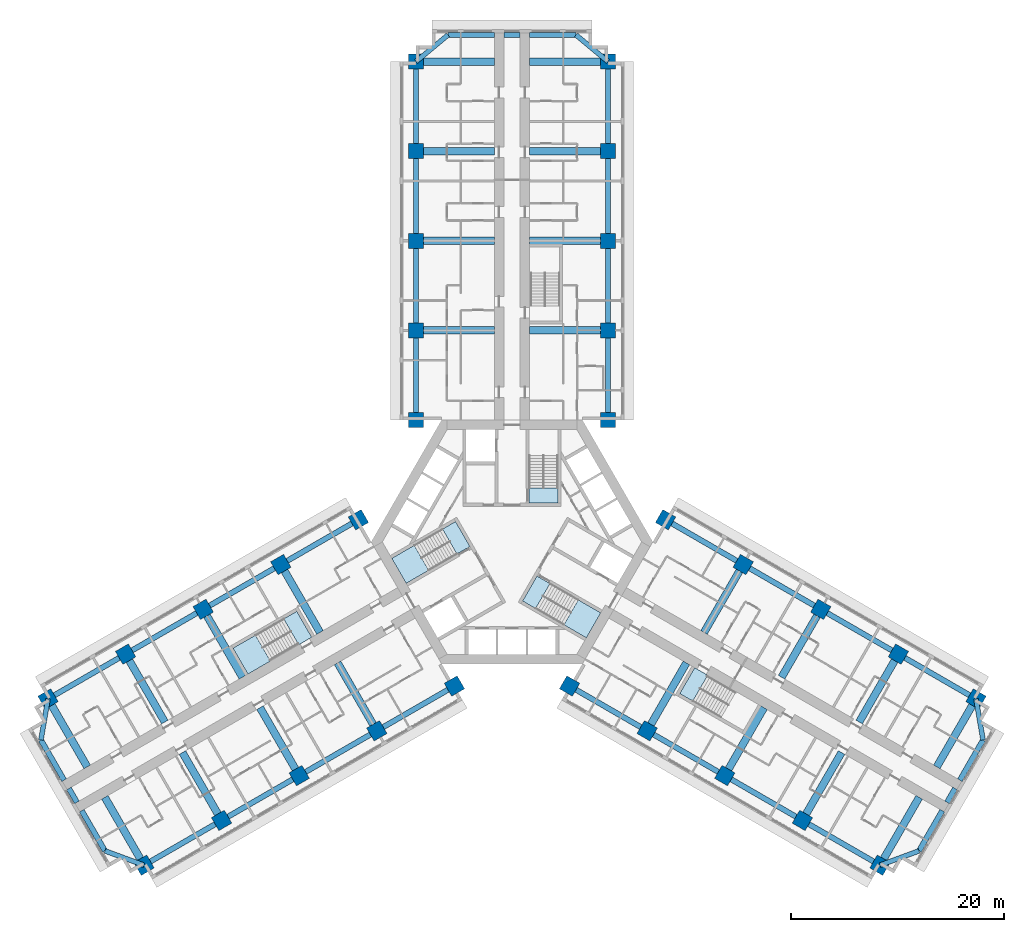
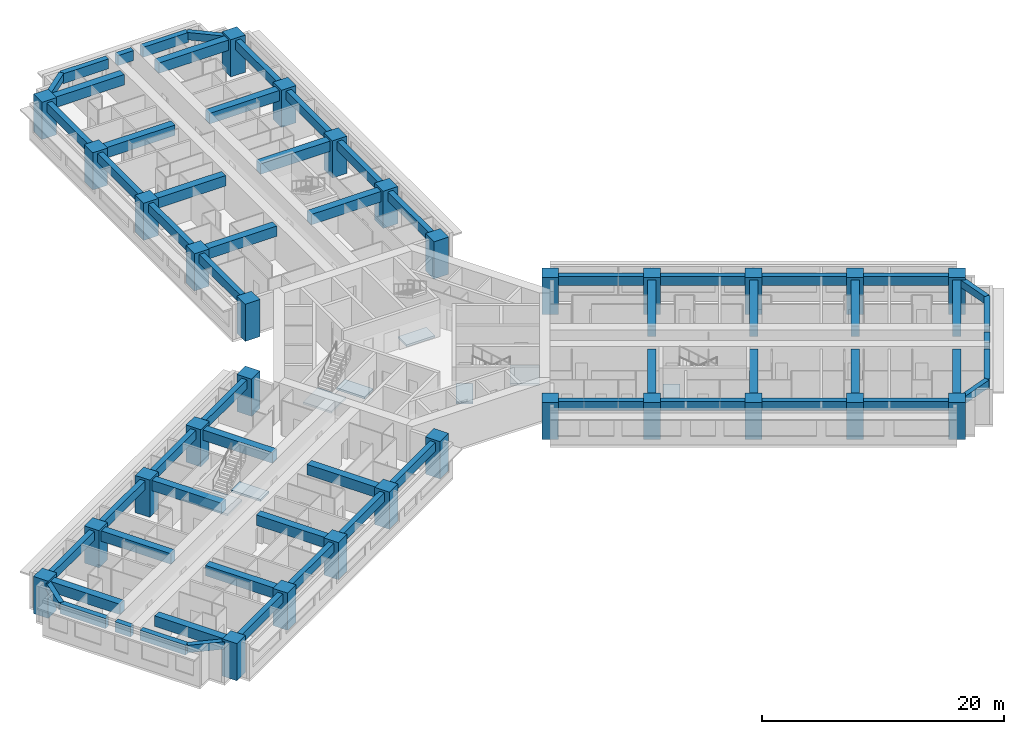
# One storey, part 1 of 16: 63 beams, 30 columns, 8 slabs, 5 elements without a shape of their own.
"""IFC4 building model written with IfcOpenShell, lengths in metres."""

from ifc_helpers import new_model, si_unit, direction, frame, origin, origin_2d, place, context, subcontext, project, spatial, polyline, rectangle, outline, extrude, material, layer, layer_set, material_profile, profile_set, type_object, element, aggregate, save


model = new_model("IFC4")

# Units and contexts
model_context = context("Model", 3, precision=1e-05, world=origin(), true_north=direction((0.0, 1.0)))
body_context = subcontext(model_context, "Body", "Model", "MODEL_VIEW")
ifc_project = project(units=[si_unit("LENGTHUNIT", "METRE"), si_unit("AREAUNIT", "SQUARE_METRE"), si_unit("VOLUMEUNIT", "CUBIC_METRE"), si_unit("PLANEANGLEUNIT", "RADIAN"), si_unit("MASSUNIT", "GRAM", prefix="KILO")], contexts=[model_context])

# Site, building, storey
site_placement = place(None, origin())
site = spatial("IfcSite", under=ifc_project, at=site_placement, CompositionType="ELEMENT")
building_placement = place(site_placement, origin())
building = spatial("IfcBuilding", under=site, at=building_placement, Name="Impinga Residences", CompositionType="ELEMENT")
storey_placement = place(building_placement, frame((0.0, 0.0, 52.25)))
storey = spatial("IfcBuildingStorey", under=building, at=storey_placement, Name="L12", CompositionType="ELEMENT", Elevation=52.25)

# Columns
ifc_material_1 = material(Name="Concrete C70/85", Category="concrete")
ifc_material_profile_1 = material_profile(ifc_material_1, rectangle(XDim=1.39990234375, YDim=1.39990234375, at=origin_2d()), Name="RC 1400x1400")
ifc_profile_set_1 = profile_set([ifc_material_profile_1], Name="Concrete C70/85")
column_type = type_object("IfcColumnType", Name="C2 1400x1400 column", PredefinedType="COLUMN", material=ifc_profile_set_1)
for number, where, z_axis, x_axis, name in (
    (1, (-9.0, 11.431640625, 0.0), (0.0, 0.0, 1.0), (1.0, 0.0, 0.0), "Column C2 N1/NA L12"),
    (2, (9.0, 11.431640625, 0.0), (0.0, 0.0, 1.0), (1.0, 0.0, 0.0), "Column C2 N1/NF L12"),
    (3, (-9.0, 19.83154296875, 0.0), (0.0, 0.0, 1.0), (1.0, 0.0, 0.0), "Column C2 N2/NA L12"),
    (4, (9.0, 19.83154296875, 0.0), (0.0, 0.0, 1.0), (1.0, 0.0, 0.0), "Column C2 N2/NF L12"),
    (5, (-9.0, 28.2314453125, 0.0), (0.0, 0.0, 1.0), (1.0, 0.0, 0.0), "Column C2 N3/NA L12"),
    (6, (9.0, 28.2314453125, 0.0), (0.0, 0.0, 1.0), (1.0, 0.0, 0.0), "Column C2 N3/NF L12"),
    (7, (-9.0, 36.631591796875, 0.0), (0.0, 0.0, 1.0), (1.0, 0.0, 0.0), "Column C2 N4/NA L12"),
    (8, (9.0, 36.631591796875, 0.0), (0.0, 0.0, 1.0), (1.0, 0.0, 0.0), "Column C2 N4/NF L12"),
    (9, (-9.0, 45.031494140625, 0.0), (0.0, 0.0, 1.0), (1.0, 0.0, 0.0), "Column C2 N5/NA L12"),
    (10, (9.0, 45.031494140625, 0.0), (0.0, 0.0, 1.0), (1.0, 0.0, 0.0), "Column C2 N5/NF L12"),
    (11, (-5.39990234375, -13.510009765625, 0.0), (0.0, 0.0, 1.0), (-0.5, 0.866025403784, 0.0), "Column C2 W1/WA L12"),
    (12, (-14.39990234375, 2.078369140625, 0.0), (0.0, 0.0, 1.0), (-0.5, 0.866025403784, 0.0), "Column C2 W1/WF L12"),
    (13, (-12.674560546875, -17.7099609375, 0.0), (0.0, 0.0, 1.0), (-0.5, 0.866025403784, 0.0), "Column C2 W2/WA L12"),
    (14, (-21.674560546875, -2.12158203125, 0.0), (0.0, 0.0, 1.0), (-0.5, 0.866025403784, 0.0), "Column C2 W2/WF L12"),
    (15, (-19.94921875, -21.909912109375, 0.0), (0.0, 0.0, 1.0), (-0.5, 0.866025403784, 0.0), "Column C2 W3/WA L12"),
    (16, (-28.94921875, -6.321533203125, 0.0), (0.0, 0.0, 1.0), (-0.5, 0.866025403784, 0.0), "Column C2 W3/WF L12"),
    (17, (-27.223876953125, -26.110107421875, 0.0), (0.0, 0.0, 1.0), (-0.5, 0.866025403784, 0.0), "Column C2 W4/WA L12"),
    (18, (-36.223876953125, -10.521484375, 0.0), (0.0, 0.0, 1.0), (-0.5, 0.866025403784, 0.0), "Column C2 W4/WF L12"),
    (19, (-34.49853515625, -30.31005859375, 0.0), (0.0, 0.0, 1.0), (-0.5, 0.866025403784, 0.0), "Column C2 W5/WA L12"),
    (20, (-43.49853515625, -14.721435546875, 0.0), (0.0, 0.0, 1.0), (-0.5, 0.866025403784, 0.0), "Column C2 W5/WF L12"),
    (21, (14.39990234375, 2.078369140625, 0.0), (0.0, 0.0, 1.0), (-0.5, -0.866025403784, 0.0), "Column C2 E1/EA L12"),
    (22, (5.39990234375, -13.510009765625, 0.0), (0.0, 0.0, 1.0), (-0.5, -0.866025403784, 0.0), "Column C2 E1/EF L12"),
    (23, (21.674560546875, -2.12158203125, 0.0), (0.0, 0.0, 1.0), (-0.5, -0.866025403784, 0.0), "Column C2 E2/EA L12"),
    (24, (12.674560546875, -17.7099609375, 0.0), (0.0, 0.0, 1.0), (-0.5, -0.866025403784, 0.0), "Column C2 E2/EF L12"),
    (25, (28.94921875, -6.321533203125, 0.0), (0.0, 0.0, 1.0), (-0.5, -0.866025403784, 0.0), "Column C2 E3/EA L12"),
    (26, (19.94921875, -21.909912109375, 0.0), (0.0, 0.0, 1.0), (-0.5, -0.866025403784, 0.0), "Column C2 E3/EF L12"),
    (27, (36.223876953125, -10.521484375, 0.0), (0.0, 0.0, 1.0), (-0.5, -0.866025403784, 0.0), "Column C2 E4/EA L12"),
    (28, (27.223876953125, -26.110107421875, 0.0), (0.0, 0.0, 1.0), (-0.5, -0.866025403784, 0.0), "Column C2 E4/EF L12"),
    (29, (43.49853515625, -14.721435546875, 0.0), (0.0, 0.0, 1.0), (-0.5, -0.866025403784, 0.0), "Column C2 E5/EA L12"),
    (30, (34.49853515625, -30.31005859375, 0.0), (0.0, 0.0, 1.0), (-0.5, -0.866025403784, 0.0), "Column C2 E5/EF L12"),
):
    element("IfcColumn", number, at=place(storey_placement, frame(where, z_axis=z_axis, x_axis=x_axis)), inside=storey, type_object=column_type, Name=name, PredefinedType="COLUMN", context=body_context, shape_type="SweptSolid", body=[
        extrude(rectangle(XDim=1.39990234375, YDim=1.39990234375, at=origin_2d()), origin(), (0.0, 0.0, 1.0), 3.75),
    ])

# Beams
ifc_material_2 = material(Name="Concrete C60/75", Category="concrete")
ifc_material_profile_2 = material_profile(ifc_material_2, rectangle(XDim=0.449951171875, YDim=0.75, at=origin_2d()), Name="RC 450x750")
ifc_profile_set_2 = profile_set([ifc_material_profile_2], Name="Concrete C60/75")
beam_type_1 = type_object("IfcBeamType", Name="CB1 450x750 wing end cantilever beam", PredefinedType="BEAM", material=ifc_profile_set_2)
for number, where, z_axis, x_axis, name in (
    (31, (-9.0, 45.031494140625, 3.155029296875), (0.768221279597, 0.640184399664, 0.0), (-0.640184399664, 0.768221279597, 0.0), "Beam CB1 NB N5-NX level L13"),
    (32, (9.0, 45.031494140625, 3.155029296875), (-0.768221279597, 0.640184399664, 0.0), (-0.640184399664, -0.768221279597, 0.0), "Beam CB1 NE N5-NX level L13"),
    (33, (-34.49853515625, -30.31005859375, 3.155029296875), (-0.938520178725, 0.345224382289, 0.0), (-0.345224382289, -0.938520178725, 0.0), "Beam CB1 WB W5-WX level L13"),
):
    element("IfcBeam", number, at=place(storey_placement, frame(where, z_axis=z_axis, x_axis=x_axis)), inside=storey, type_object=beam_type_1, Name=name, PredefinedType="BEAM", context=body_context, shape_type="SweptSolid", body=[
        extrude(rectangle(XDim=0.449951171875, YDim=0.75, at=origin_2d()), origin(), (0.0, 0.0, 1.0), 3.905029296875),
    ])
for number, where, z_axis, x_axis, name in (
    (34, (-43.49853515625, -14.721435546875, 3.155029296875), (-0.170296298948, -0.985392901621, 0.0), (0.985392901621, -0.170296298948, 0.0), "Beam CB1 WE W5-WX level L13"),
    (35, (43.49853515625, -14.721435546875, 3.155029296875), (0.170296298948, -0.985392901621, 0.0), (0.985392901621, 0.170296298948, 0.0), "Beam CB1 EB E5-EX level L13"),
):
    element("IfcBeam", number, at=place(storey_placement, frame(where, z_axis=z_axis, x_axis=x_axis)), inside=storey, type_object=beam_type_1, Name=name, PredefinedType="BEAM", context=body_context, shape_type="SweptSolid", body=[
        extrude(rectangle(XDim=0.449951171875, YDim=0.75, at=origin_2d()), origin(), (0.0, 0.0, 1.0), 3.9052734375),
    ])
beam_1_placement = place(storey_placement, frame((34.49853515625, -30.31005859375, 3.155029296875), z_axis=(0.938520178725, 0.345224382289, 0.0), x_axis=(-0.345224382289, 0.938520178725, 0.0)))
element("IfcBeam", 36, at=beam_1_placement, inside=storey, type_object=beam_type_1, Name="Beam CB1 EE E5-EX level L13", PredefinedType="BEAM", context=body_context, shape_type="SweptSolid", body=[
    extrude(rectangle(XDim=0.449951171875, YDim=0.75, at=origin_2d()), origin(), (0.0, 0.0, 1.0), 3.905029296875),
])
ifc_material_profile_3 = material_profile(ifc_material_2, rectangle(XDim=0.699951171875, YDim=1.050048828125, at=origin_2d()), Name="RC 700x1050")
ifc_profile_set_3 = profile_set([ifc_material_profile_3], Name="Concrete C60/75")
beam_type_2 = type_object("IfcBeamType", Name="CG1 700x1050 cross girder on a wing bay line", PredefinedType="BEAM", material=ifc_profile_set_3)
for number, where, z_axis, x_axis, name in (
    (37, (-1.64990234375, 19.83154296875, 3.0048828125), (-1.0, 0.0, 0.0), (0.0, -1.0, 0.0), "Beam CG1 N2 NC/NA level L13"),
    (38, (-1.64990234375, 28.2314453125, 3.0048828125), (-1.0, 0.0, 0.0), (0.0, -1.0, 0.0), "Beam CG1 N3 NC/NA level L13"),
    (39, (-1.64990234375, 36.631591796875, 3.0048828125), (-1.0, 0.0, 0.0), (0.0, -1.0, 0.0), "Beam CG1 N4 NC/NA level L13"),
    (40, (-1.64990234375, 45.031494140625, 3.0048828125), (-1.0, 0.0, 0.0), (0.0, -1.0, 0.0), "Beam CG1 N5 NC/NA level L13"),
    (41, (1.64990234375, 19.83154296875, 3.0048828125), (1.0, 0.0, 0.0), (0.0, 1.0, 0.0), "Beam CG1 N2 NC/NF level L13"),
    (42, (1.64990234375, 28.2314453125, 3.0048828125), (1.0, 0.0, 0.0), (0.0, 1.0, 0.0), "Beam CG1 N3 NC/NF level L13"),
    (43, (1.64990234375, 36.631591796875, 3.0048828125), (1.0, 0.0, 0.0), (0.0, 1.0, 0.0), "Beam CG1 N4 NC/NF level L13"),
    (44, (1.64990234375, 45.031494140625, 3.0048828125), (1.0, 0.0, 0.0), (0.0, 1.0, 0.0), "Beam CG1 N5 NC/NF level L13"),
    (45, (-16.349609375, -11.3447265625, 3.0048828125), (0.500008066151, -0.86602074674, 0.0), (0.86602074674, 0.500008066151, 0.0), "Beam CG1 W2 WC/WA level L13"),
    (46, (-23.624267578125, -15.544677734375, 3.0048828125), (0.500008066151, -0.86602074674, 0.0), (0.86602074674, 0.500008066151, 0.0), "Beam CG1 W3 WC/WA level L13"),
    (47, (-30.89892578125, -19.74462890625, 3.0048828125), (0.499993683172, -0.866029050776, 0.0), (0.866029050776, 0.499993683172, 0.0), "Beam CG1 W4 WC/WA level L13"),
):
    element("IfcBeam", number, at=place(storey_placement, frame(where, z_axis=z_axis, x_axis=x_axis)), inside=storey, type_object=beam_type_2, Name=name, PredefinedType="BEAM", context=body_context, shape_type="SweptSolid", body=[
        extrude(rectangle(XDim=0.699951171875, YDim=1.050048828125, at=origin_2d()), origin(), (0.0, 0.0, 1.0), 7.35009765625),
    ])
beam_2_placement = place(storey_placement, frame((-38.17333984375, -23.94482421875, 3.0048828125), z_axis=(0.499983153418, -0.866035129944, 0.0), x_axis=(0.866035129944, 0.499983153418, 0.0)))
element("IfcBeam", 48, at=beam_2_placement, inside=storey, type_object=beam_type_2, Name="Beam CG1 W5 WC/WA level L13", PredefinedType="BEAM", context=body_context, shape_type="SweptSolid", body=[
    extrude(rectangle(XDim=0.699951171875, YDim=1.050048828125, at=origin_2d()), origin(), (0.0, 0.0, 1.0), 7.349853515625),
])
for number, where, z_axis, x_axis, name in (
    (49, (-17.99951171875, -8.48681640625, 3.0048828125), (-0.500008066151, 0.86602074674, 0.0), (-0.86602074674, -0.500008066151, 0.0), "Beam CG1 W2 WC/WF level L13"),
    (50, (-25.274169921875, -12.686767578125, 3.0048828125), (-0.500008066151, 0.86602074674, 0.0), (-0.86602074674, -0.500008066151, 0.0), "Beam CG1 W3 WC/WF level L13"),
    (51, (-32.548828125, -16.88671875, 3.0048828125), (-0.500008066151, 0.86602074674, 0.0), (-0.86602074674, -0.500008066151, 0.0), "Beam CG1 W4 WC/WF level L13"),
    (52, (-39.823486328125, -21.0869140625, 3.0048828125), (-0.499993683172, 0.866029050776, 0.0), (-0.866029050776, -0.499993683172, 0.0), "Beam CG1 W5 WC/WF level L13"),
    (53, (17.99951171875, -8.48681640625, 3.0048828125), (0.500008066151, 0.86602074674, 0.0), (-0.86602074674, 0.500008066151, 0.0), "Beam CG1 E2 EC/EA level L13"),
    (54, (25.274169921875, -12.686767578125, 3.0048828125), (0.500008066151, 0.86602074674, 0.0), (-0.86602074674, 0.500008066151, 0.0), "Beam CG1 E3 EC/EA level L13"),
    (55, (32.548828125, -16.88671875, 3.0048828125), (0.500008066151, 0.86602074674, 0.0), (-0.86602074674, 0.500008066151, 0.0), "Beam CG1 E4 EC/EA level L13"),
    (56, (39.823486328125, -21.0869140625, 3.0048828125), (0.499993683172, 0.866029050776, 0.0), (-0.866029050776, 0.499993683172, 0.0), "Beam CG1 E5 EC/EA level L13"),
    (57, (16.349609375, -11.3447265625, 3.0048828125), (-0.500008066151, -0.86602074674, 0.0), (0.86602074674, -0.500008066151, 0.0), "Beam CG1 E2 EC/EF level L13"),
    (58, (23.624267578125, -15.544677734375, 3.0048828125), (-0.500008066151, -0.86602074674, 0.0), (0.86602074674, -0.500008066151, 0.0), "Beam CG1 E3 EC/EF level L13"),
    (59, (30.89892578125, -19.74462890625, 3.0048828125), (-0.499993683172, -0.866029050776, 0.0), (0.866029050776, -0.499993683172, 0.0), "Beam CG1 E4 EC/EF level L13"),
):
    element("IfcBeam", number, at=place(storey_placement, frame(where, z_axis=z_axis, x_axis=x_axis)), inside=storey, type_object=beam_type_2, Name=name, PredefinedType="BEAM", context=body_context, shape_type="SweptSolid", body=[
        extrude(rectangle(XDim=0.699951171875, YDim=1.050048828125, at=origin_2d()), origin(), (0.0, 0.0, 1.0), 7.35009765625),
    ])
beam_3_placement = place(storey_placement, frame((38.17333984375, -23.94482421875, 3.0048828125), z_axis=(-0.499983153418, -0.866035129944, 0.0), x_axis=(0.866035129944, -0.499983153418, 0.0)))
element("IfcBeam", 60, at=beam_3_placement, inside=storey, type_object=beam_type_2, Name="Beam CG1 E5 EC/EF level L13", PredefinedType="BEAM", context=body_context, shape_type="SweptSolid", body=[
    extrude(rectangle(XDim=0.699951171875, YDim=1.050048828125, at=origin_2d()), origin(), (0.0, 0.0, 1.0), 7.349853515625),
])
ifc_material_profile_4 = material_profile(ifc_material_2, rectangle(XDim=0.5, YDim=1.0, at=origin_2d()), Name="RC 500x1000")
ifc_profile_set_4 = profile_set([ifc_material_profile_4], Name="Concrete C60/75")
beam_type_3 = type_object("IfcBeamType", Name="EB1 500x1000 wing end beam", PredefinedType="BEAM", material=ifc_profile_set_4)
beam_4_placement = place(storey_placement, frame((-6.0, 47.531494140625, 3.030029296875), z_axis=(1.0, 0.0, 0.0), x_axis=(0.0, 1.0, 0.0)))
element("IfcBeam", 61, at=beam_4_placement, inside=storey, type_object=beam_type_3, Name="Beam EB1 NX4 level L13", PredefinedType="BEAM", context=body_context, shape_type="SweptSolid", body=[
    extrude(rectangle(XDim=0.5, YDim=1.0, at=origin_2d()), origin(), (0.0, 0.0, 1.0), 4.35009765625),
])
beam_5_placement = place(storey_placement, frame((-0.75, 47.531494140625, 3.030029296875), z_axis=(1.0, 0.0, 0.0), x_axis=(0.0, 1.0, 0.0)))
element("IfcBeam", 62, at=beam_5_placement, inside=storey, type_object=beam_type_3, Name="Beam EB1 NX4 level L13", PredefinedType="BEAM", context=body_context, shape_type="SweptSolid", body=[
    extrude(rectangle(XDim=0.5, YDim=1.0, at=origin_2d()), origin(), (0.0, 0.0, 1.0), 1.5),
])
beam_6_placement = place(storey_placement, frame((1.64990234375, 47.531494140625, 3.030029296875), z_axis=(1.0, 0.0, 0.0), x_axis=(0.0, 1.0, 0.0)))
element("IfcBeam", 63, at=beam_6_placement, inside=storey, type_object=beam_type_3, Name="Beam EB1 NX4 level L13", PredefinedType="BEAM", context=body_context, shape_type="SweptSolid", body=[
    extrude(rectangle(XDim=0.5, YDim=1.0, at=origin_2d()), origin(), (0.0, 0.0, 1.0), 4.35009765625),
])
beam_7_placement = place(storey_placement, frame((-38.16357421875, -28.9619140625, 3.030029296875), z_axis=(-0.500020430026, 0.866013608182, 0.0), x_axis=(-0.866013608182, -0.500020430026, 0.0)))
element("IfcBeam", 64, at=beam_7_placement, inside=storey, type_object=beam_type_3, Name="Beam EB1 WX4 level L13", PredefinedType="BEAM", context=body_context, shape_type="SweptSolid", body=[
    extrude(rectangle(XDim=0.5, YDim=1.0, at=origin_2d()), origin(), (0.0, 0.0, 1.0), 4.349853515625),
])
beam_8_placement = place(storey_placement, frame((-40.78857421875, -24.415283203125, 3.030029296875), z_axis=(-0.499990139034, 0.866031096941, 0.0), x_axis=(-0.866031096941, -0.499990139034, 0.0)))
element("IfcBeam", 65, at=beam_8_placement, inside=storey, type_object=beam_type_3, Name="Beam EB1 WX4 level L13", PredefinedType="BEAM", context=body_context, shape_type="SweptSolid", body=[
    extrude(rectangle(XDim=0.5, YDim=1.0, at=origin_2d()), origin(), (0.0, 0.0, 1.0), 1.5),
])
for number, where, z_axis, x_axis, name in (
    (66, (-41.988525390625, -22.3369140625, 3.030029296875), (-0.499996127374, 0.866027639635, 0.0), (-0.866027639635, -0.499996127374, 0.0), "Beam EB1 WX4 level L13"),
    (67, (44.16357421875, -18.569580078125, 3.030029296875), (-0.499996127374, -0.866027639635, 0.0), (0.866027639635, -0.499996127374, 0.0), "Beam EB1 EX4 level L13"),
):
    element("IfcBeam", number, at=place(storey_placement, frame(where, z_axis=z_axis, x_axis=x_axis)), inside=storey, type_object=beam_type_3, Name=name, PredefinedType="BEAM", context=body_context, shape_type="SweptSolid", body=[
        extrude(rectangle(XDim=0.5, YDim=1.0, at=origin_2d()), origin(), (0.0, 0.0, 1.0), 4.35009765625),
    ])
beam_9_placement = place(storey_placement, frame((41.53857421875, -23.1162109375, 3.030029296875), z_axis=(-0.499990139034, -0.866031096941, 0.0), x_axis=(0.866031096941, -0.499990139034, 0.0)))
element("IfcBeam", 68, at=beam_9_placement, inside=storey, type_object=beam_type_3, Name="Beam EB1 EX4 level L13", PredefinedType="BEAM", context=body_context, shape_type="SweptSolid", body=[
    extrude(rectangle(XDim=0.5, YDim=1.0, at=origin_2d()), origin(), (0.0, 0.0, 1.0), 1.5),
])
beam_10_placement = place(storey_placement, frame((40.338623046875, -25.19482421875, 3.030029296875), z_axis=(-0.500020430026, -0.866013608182, 0.0), x_axis=(0.866013608182, -0.500020430026, 0.0)))
element("IfcBeam", 69, at=beam_10_placement, inside=storey, type_object=beam_type_3, Name="Beam EB1 EX4 level L13", PredefinedType="BEAM", context=body_context, shape_type="SweptSolid", body=[
    extrude(rectangle(XDim=0.5, YDim=1.0, at=origin_2d()), origin(), (0.0, 0.0, 1.0), 4.349853515625),
])
ifc_material_profile_5 = material_profile(ifc_material_2, rectangle(XDim=0.5, YDim=0.89990234375, at=origin_2d()), Name="RC 500x900")
ifc_profile_set_5 = profile_set([ifc_material_profile_5], Name="Concrete C60/75")
beam_type_4 = type_object("IfcBeamType", Name="SB1 500x900 perimeter spandrel beam", PredefinedType="SPANDREL", material=ifc_profile_set_5)
for number, where, z_axis, x_axis, name in (
    (70, (-9.0, 11.431640625, 3.080078125), (0.0, 1.0, 0.0), (-1.0, 0.0, 0.0), "Beam SB1 NA N1-N2 level L13"),
    (71, (-9.0, 19.83154296875, 3.080078125), (0.0, 1.0, 0.0), (-1.0, 0.0, 0.0), "Beam SB1 NA N2-N3 level L13"),
):
    element("IfcBeam", number, at=place(storey_placement, frame(where, z_axis=z_axis, x_axis=x_axis)), inside=storey, type_object=beam_type_4, Name=name, PredefinedType="SPANDREL", context=body_context, shape_type="SweptSolid", body=[
        extrude(rectangle(XDim=0.5, YDim=0.89990234375, at=origin_2d()), origin(), (0.0, 0.0, 1.0), 8.39990234375),
    ])
beam_11_placement = place(storey_placement, frame((-9.0, 28.2314453125, 3.080078125), z_axis=(0.0, 1.0, 0.0), x_axis=(-1.0, 0.0, 0.0)))
element("IfcBeam", 72, at=beam_11_placement, inside=storey, type_object=beam_type_4, Name="Beam SB1 NA N3-N4 level L13", PredefinedType="SPANDREL", context=body_context, shape_type="SweptSolid", body=[
    extrude(rectangle(XDim=0.5, YDim=0.89990234375, at=origin_2d()), origin(), (0.0, 0.0, 1.0), 8.400146484375),
])
for number, where, z_axis, x_axis, name in (
    (73, (-9.0, 36.631591796875, 3.080078125), (0.0, 1.0, 0.0), (-1.0, 0.0, 0.0), "Beam SB1 NA N4-N5 level L13"),
    (74, (9.0, 11.431640625, 3.080078125), (0.0, 1.0, 0.0), (-1.0, 0.0, 0.0), "Beam SB1 NF N1-N2 level L13"),
    (75, (9.0, 19.83154296875, 3.080078125), (0.0, 1.0, 0.0), (-1.0, 0.0, 0.0), "Beam SB1 NF N2-N3 level L13"),
):
    element("IfcBeam", number, at=place(storey_placement, frame(where, z_axis=z_axis, x_axis=x_axis)), inside=storey, type_object=beam_type_4, Name=name, PredefinedType="SPANDREL", context=body_context, shape_type="SweptSolid", body=[
        extrude(rectangle(XDim=0.5, YDim=0.89990234375, at=origin_2d()), origin(), (0.0, 0.0, 1.0), 8.39990234375),
    ])
beam_12_placement = place(storey_placement, frame((9.0, 28.2314453125, 3.080078125), z_axis=(0.0, 1.0, 0.0), x_axis=(-1.0, 0.0, 0.0)))
element("IfcBeam", 76, at=beam_12_placement, inside=storey, type_object=beam_type_4, Name="Beam SB1 NF N3-N4 level L13", PredefinedType="SPANDREL", context=body_context, shape_type="SweptSolid", body=[
    extrude(rectangle(XDim=0.5, YDim=0.89990234375, at=origin_2d()), origin(), (0.0, 0.0, 1.0), 8.400146484375),
])
for number, where, z_axis, x_axis, name in (
    (77, (9.0, 36.631591796875, 3.080078125), (0.0, 1.0, 0.0), (-1.0, 0.0, 0.0), "Beam SB1 NF N4-N5 level L13"),
    (78, (-5.39990234375, -13.510009765625, 3.080078125), (-0.86602925447, -0.499993330357, 0.0), (0.499993330357, -0.86602925447, 0.0), "Beam SB1 WA W1-W2 level L13"),
    (79, (-12.674560546875, -17.7099609375, 3.080078125), (-0.86602925447, -0.499993330357, 0.0), (0.499993330357, -0.86602925447, 0.0), "Beam SB1 WA W2-W3 level L13"),
):
    element("IfcBeam", number, at=place(storey_placement, frame(where, z_axis=z_axis, x_axis=x_axis)), inside=storey, type_object=beam_type_4, Name=name, PredefinedType="SPANDREL", context=body_context, shape_type="SweptSolid", body=[
        extrude(rectangle(XDim=0.5, YDim=0.89990234375, at=origin_2d()), origin(), (0.0, 0.0, 1.0), 8.39990234375),
    ])
beam_13_placement = place(storey_placement, frame((-19.94921875, -21.909912109375, 3.080078125), z_axis=(-0.866016669275, -0.500015128309, 0.0), x_axis=(0.500015128309, -0.866016669275, 0.0)))
element("IfcBeam", 80, at=beam_13_placement, inside=storey, type_object=beam_type_4, Name="Beam SB1 WA W3-W4 level L13", PredefinedType="SPANDREL", context=body_context, shape_type="SweptSolid", body=[
    extrude(rectangle(XDim=0.5, YDim=0.89990234375, at=origin_2d()), origin(), (0.0, 0.0, 1.0), 8.400146484375),
])
for number, where, z_axis, x_axis, name in (
    (81, (-27.223876953125, -26.110107421875, 3.080078125), (-0.86602925447, -0.499993330357, 0.0), (0.499993330357, -0.86602925447, 0.0), "Beam SB1 WA W4-W5 level L13"),
    (82, (-14.39990234375, 2.078369140625, 3.080078125), (-0.86602925447, -0.499993330357, 0.0), (0.499993330357, -0.86602925447, 0.0), "Beam SB1 WF W1-W2 level L13"),
    (83, (-21.674560546875, -2.12158203125, 3.080078125), (-0.86602925447, -0.499993330357, 0.0), (0.499993330357, -0.86602925447, 0.0), "Beam SB1 WF W2-W3 level L13"),
    (84, (-28.94921875, -6.321533203125, 3.080078125), (-0.86602925447, -0.499993330357, 0.0), (0.499993330357, -0.86602925447, 0.0), "Beam SB1 WF W3-W4 level L13"),
    (85, (-36.223876953125, -10.521484375, 3.080078125), (-0.86602925447, -0.499993330357, 0.0), (0.499993330357, -0.86602925447, 0.0), "Beam SB1 WF W4-W5 level L13"),
    (86, (14.39990234375, 2.078369140625, 3.080078125), (0.86602925447, -0.499993330357, 0.0), (0.499993330357, 0.86602925447, 0.0), "Beam SB1 EA E1-E2 level L13"),
    (87, (21.674560546875, -2.12158203125, 3.080078125), (0.86602925447, -0.499993330357, 0.0), (0.499993330357, 0.86602925447, 0.0), "Beam SB1 EA E2-E3 level L13"),
    (88, (28.94921875, -6.321533203125, 3.080078125), (0.86602925447, -0.499993330357, 0.0), (0.499993330357, 0.86602925447, 0.0), "Beam SB1 EA E3-E4 level L13"),
    (89, (36.223876953125, -10.521484375, 3.080078125), (0.86602925447, -0.499993330357, 0.0), (0.499993330357, 0.86602925447, 0.0), "Beam SB1 EA E4-E5 level L13"),
    (90, (5.39990234375, -13.510009765625, 3.080078125), (0.86602925447, -0.499993330357, 0.0), (0.499993330357, 0.86602925447, 0.0), "Beam SB1 EF E1-E2 level L13"),
    (91, (12.674560546875, -17.7099609375, 3.080078125), (0.86602925447, -0.499993330357, 0.0), (0.499993330357, 0.86602925447, 0.0), "Beam SB1 EF E2-E3 level L13"),
):
    element("IfcBeam", number, at=place(storey_placement, frame(where, z_axis=z_axis, x_axis=x_axis)), inside=storey, type_object=beam_type_4, Name=name, PredefinedType="SPANDREL", context=body_context, shape_type="SweptSolid", body=[
        extrude(rectangle(XDim=0.5, YDim=0.89990234375, at=origin_2d()), origin(), (0.0, 0.0, 1.0), 8.39990234375),
    ])
beam_14_placement = place(storey_placement, frame((19.94921875, -21.909912109375, 3.080078125), z_axis=(0.866016669275, -0.500015128309, 0.0), x_axis=(0.500015128309, 0.866016669275, 0.0)))
element("IfcBeam", 92, at=beam_14_placement, inside=storey, type_object=beam_type_4, Name="Beam SB1 EF E3-E4 level L13", PredefinedType="SPANDREL", context=body_context, shape_type="SweptSolid", body=[
    extrude(rectangle(XDim=0.5, YDim=0.89990234375, at=origin_2d()), origin(), (0.0, 0.0, 1.0), 8.400146484375),
])
beam_15_placement = place(storey_placement, frame((27.223876953125, -26.110107421875, 3.080078125), z_axis=(0.86602925447, -0.499993330357, 0.0), x_axis=(0.499993330357, 0.86602925447, 0.0)))
element("IfcBeam", 93, at=beam_15_placement, inside=storey, type_object=beam_type_4, Name="Beam SB1 EF E4-E5 level L13", PredefinedType="SPANDREL", context=body_context, shape_type="SweptSolid", body=[
    extrude(rectangle(XDim=0.5, YDim=0.89990234375, at=origin_2d()), origin(), (0.0, 0.0, 1.0), 8.39990234375),
])

# Stair, slab
ifc_material_3 = material(Name="Concrete C40/50", Category="concrete")
stair_type_1 = type_object("IfcStairType", Name="STR core stair 3750 storey, 24 risers", PredefinedType="HALF_TURN_STAIR", material=ifc_material_3)
stair_1_placement = place(storey_placement, origin())
stair_1 = element("IfcStair", 94, at=stair_1_placement, inside=storey, type_object=stair_type_1, Name="Stair ST1 L12", PredefinedType="HALF_TURN_STAIR")
ifc_layer = layer(ifc_material_3, 0.199951171875)
ifc_layer_set = layer_set([ifc_layer], Name="Concrete C40/50")
slab_type = type_object("IfcSlabType", Name="LS1 stair landing 200", PredefinedType="LANDING", material=ifc_layer_set)
slab_1_placement = place(storey_placement, frame((0.0, 0.0, -0.199951171875)))
slab_1 = element("IfcSlab", 95, at=slab_1_placement, type_object=slab_type, Name="ST1 landing 1", PredefinedType="LANDING", context=body_context, shape_type="SweptSolid", body=[
    extrude(outline(polyline([(1.60009765625, 3.6298828125), (4.300048828125, 3.6298828125), (4.300048828125, 5.0400390625), (1.60009765625, 5.0400390625), (1.60009765625, 3.6298828125)])), origin(), (0.0, 0.0, 1.0), 0.199951171875),
])
aggregate(stair_1, [slab_1])

# Stair, slabs
stair_2_placement = place(storey_placement, origin())
stair_2 = element("IfcStair", 96, at=stair_2_placement, inside=storey, type_object=stair_type_1, Name="Stair ST2 L12", PredefinedType="HALF_TURN_STAIR")
slab_2_placement = place(storey_placement, frame((0.0, 0.0, -0.199951171875)))
slab_2 = element("IfcSlab", 97, at=slab_2_placement, type_object=slab_type, Name="ST2 landing 1", PredefinedType="LANDING", context=body_context, shape_type="SweptSolid", body=[
    extrude(outline(polyline([(-3.943603515625, -0.429443359375), (-5.293701171875, 1.908935546875), (-6.5146484375, 1.203857421875), (-5.164794921875, -1.13427734375), (-3.943603515625, -0.429443359375)])), origin(), (0.0, 0.0, 1.0), 0.199951171875),
])
slab_3_placement = place(storey_placement, frame((0.0, 0.0, 1.675048828125)))
slab_3 = element("IfcSlab", 98, at=slab_3_placement, type_object=slab_type, Name="ST2 landing 2", PredefinedType="LANDING", context=body_context, shape_type="SweptSolid", body=[
    extrude(outline(polyline([(-7.814697265625, -2.664306640625), (-9.164794921875, -0.326171875), (-11.2705078125, -1.541748046875), (-9.920654296875, -3.880126953125), (-7.814697265625, -2.664306640625)])), origin(), (0.0, 0.0, 1.0), 0.199951171875),
])
aggregate(stair_2, [slab_2, slab_3])

stair_3_placement = place(storey_placement, origin())
stair_3 = element("IfcStair", 99, at=stair_3_placement, inside=storey, type_object=stair_type_1, Name="Stair ST3 L12", PredefinedType="HALF_TURN_STAIR")
slab_4_placement = place(storey_placement, frame((0.0, 0.0, -0.199951171875)))
slab_4 = element("IfcSlab", 100, at=slab_4_placement, type_object=slab_type, Name="ST3 landing 1", PredefinedType="LANDING", context=body_context, shape_type="SweptSolid", body=[
    extrude(outline(polyline([(2.34375, -3.20068359375), (0.99365234375, -5.538818359375), (2.21484375, -6.243896484375), (3.564697265625, -3.90576171875), (2.34375, -3.20068359375)])), origin(), (0.0, 0.0, 1.0), 0.199951171875),
])
slab_5_placement = place(storey_placement, frame((0.0, 0.0, 1.675048828125)))
slab_5 = element("IfcSlab", 101, at=slab_5_placement, type_object=slab_type, Name="ST3 landing 2", PredefinedType="LANDING", context=body_context, shape_type="SweptSolid", body=[
    extrude(outline(polyline([(6.21484375, -5.435546875), (4.86474609375, -7.77392578125), (6.970458984375, -8.98974609375), (8.320556640625, -6.6513671875), (6.21484375, -5.435546875)])), origin(), (0.0, 0.0, 1.0), 0.199951171875),
])
aggregate(stair_3, [slab_4, slab_5])

stair_type_2 = type_object("IfcStairType", Name="STR wing stair 3750 storey, 24 risers", PredefinedType="HALF_TURN_STAIR", material=ifc_material_3)
stair_4_placement = place(storey_placement, origin())
stair_4 = element("IfcStair", 102, at=stair_4_placement, inside=storey, type_object=stair_type_2, Name="Stair WS2 L12", PredefinedType="HALF_TURN_STAIR")
slab_6_placement = place(storey_placement, frame((0.0, 0.0, -0.199951171875)))
slab_6 = element("IfcSlab", 103, at=slab_6_placement, type_object=slab_type, Name="WS2 landing 1", PredefinedType="LANDING", context=body_context, shape_type="SweptSolid", body=[
    extrude(outline(polyline([(-18.779052734375, -8.936767578125), (-20.178955078125, -6.511962890625), (-21.400146484375, -7.217041015625), (-20.000244140625, -9.641845703125), (-18.779052734375, -8.936767578125)])), origin(), (0.0, 0.0, 1.0), 0.199951171875),
])
slab_7_placement = place(storey_placement, frame((0.0, 0.0, 1.675048828125)))
slab_7 = element("IfcSlab", 104, at=slab_7_placement, type_object=slab_type, Name="WS2 landing 2", PredefinedType="LANDING", context=body_context, shape_type="SweptSolid", body=[
    extrude(outline(polyline([(-22.650146484375, -11.171875), (-24.050048828125, -8.7470703125), (-26.154541015625, -9.9619140625), (-24.754638671875, -12.38671875), (-22.650146484375, -11.171875)])), origin(), (0.0, 0.0, 1.0), 0.199951171875),
])
aggregate(stair_4, [slab_6, slab_7])

# Stair, slab
stair_5_placement = place(storey_placement, origin())
stair_5 = element("IfcStair", 105, at=stair_5_placement, inside=storey, type_object=stair_type_2, Name="Stair WS3 L12", PredefinedType="HALF_TURN_STAIR")
slab_8_placement = place(storey_placement, frame((0.0, 0.0, -0.199951171875)))
slab_8 = element("IfcSlab", 106, at=slab_8_placement, type_object=slab_type, Name="WS3 landing 1", PredefinedType="LANDING", context=body_context, shape_type="SweptSolid", body=[
    extrude(outline(polyline([(17.129150390625, -11.794677734375), (15.72900390625, -14.219482421875), (16.9501953125, -14.924560546875), (18.35009765625, -12.499755859375), (17.129150390625, -11.794677734375)])), origin(), (0.0, 0.0, 1.0), 0.199951171875),
])
aggregate(stair_5, [slab_8])

save(model, "model.ifc")
